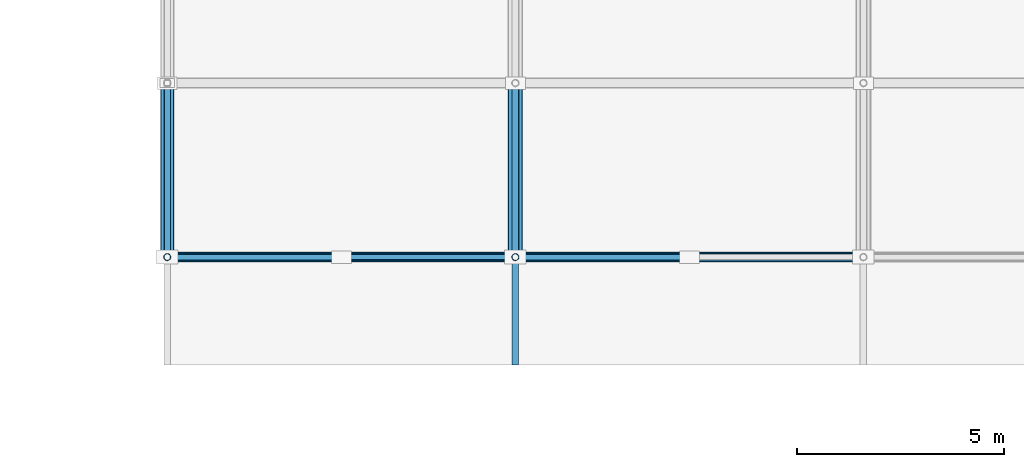
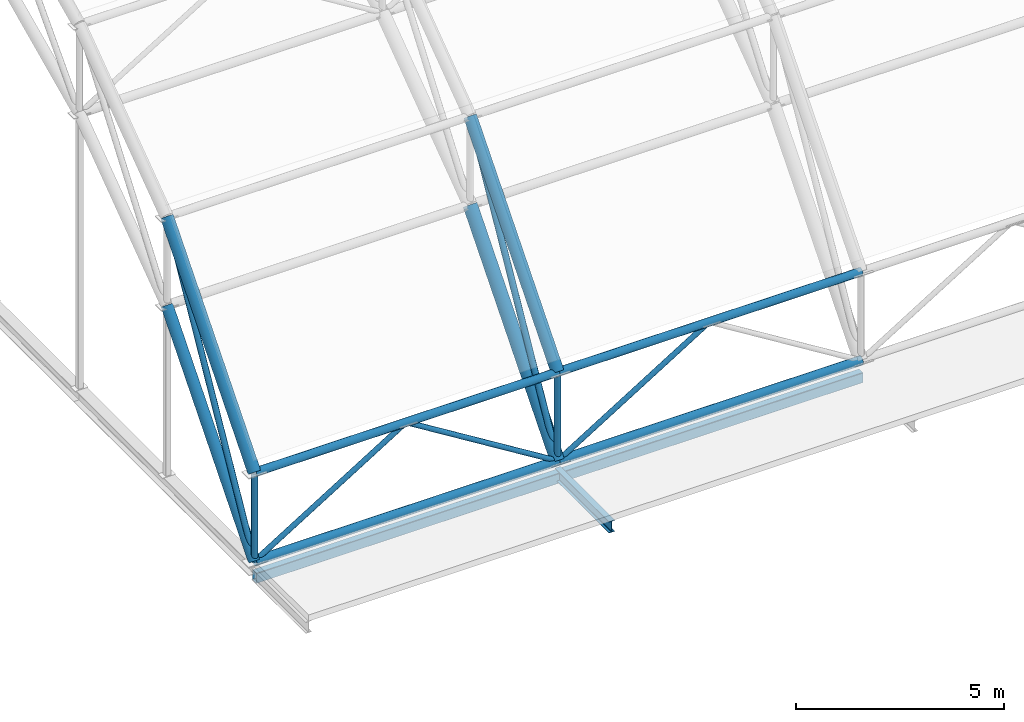
# One storey, part 6 of 103: 11 members, 7 beams.
"""IFC4 building model written with IfcOpenShell, lengths in metres."""

from ifc_helpers import new_model, si_unit, direction, frame, origin, origin_2d, place, context, subcontext, project, spatial, hollow_rectangle, hollow_circle, i_section, extrude, material, material_profile, profile_set, type_object, element, save


model = new_model("IFC4")

# Units and contexts
model_context = context("Model", 3, precision=1e-05, world=origin(), true_north=direction((0.0, 1.0)))
body_context = subcontext(model_context, "Body", "Model", "MODEL_VIEW")
ifc_project = project(units=[si_unit("LENGTHUNIT", "METRE"), si_unit("AREAUNIT", "SQUARE_METRE"), si_unit("VOLUMEUNIT", "CUBIC_METRE"), si_unit("PLANEANGLEUNIT", "RADIAN"), si_unit("MASSUNIT", "GRAM", prefix="KILO")], contexts=[model_context])

# Site, building, storey
site_placement = place(None, origin())
site = spatial("IfcSite", under=ifc_project, at=site_placement, CompositionType="ELEMENT")
building_placement = place(site_placement, origin())
building = spatial("IfcBuilding", under=site, at=building_placement, Name="Varnapada Polytechnic", CompositionType="ELEMENT")
storey_placement = place(building_placement, frame((0.0, 0.0, 18.0)))
storey = spatial("IfcBuildingStorey", under=building, at=storey_placement, Name="L04", CompositionType="ELEMENT", Elevation=18.0)

# Beams
ifc_material = material(Name="Steel S355", Category="steel")
ifc_material_profile_1 = material_profile(ifc_material, i_section(OverallWidth=0.159912109375, OverallDepth=0.330078125, WebThickness=0.007568359375, FlangeThickness=0.011474609375, FilletRadius=0.01806640625, at=origin_2d()), Name="IPE 330")
ifc_profile_set_1 = profile_set([ifc_material_profile_1], Name="Steel S355")
beam_type_1 = type_object("IfcBeamType", Name="Clerestory monitor steel rafter SB-07 (IPE 330)", PredefinedType="BEAM", material=ifc_profile_set_1)
beam_1_placement = place(storey_placement, frame((58.800048828125, 84.0, -0.35009765625), z_axis=(0.0, -1.0, 0.0), x_axis=(1.0, 0.0, 0.0)))
element("IfcBeam", 1, at=beam_1_placement, inside=storey, type_object=beam_type_1, Name="Workshop eave shade outlooker S.2", PredefinedType="BEAM", context=body_context, shape_type="SweptSolid", body=[
    extrude(i_section(OverallWidth=0.159912109375, OverallDepth=0.330078125, WebThickness=0.007568359375, FlangeThickness=0.011474609375, FilletRadius=0.01806640625, at=origin_2d()), origin(), (0.0, 0.0, 1.0), 2.60009765625),
])
ifc_material_profile_2 = material_profile(ifc_material, hollow_circle(Radius=0.149169921875, WallThickness=0.010009765625, at=origin_2d()), Name="CHS 298.5x10.0")
ifc_profile_set_2 = profile_set([ifc_material_profile_2], Name="Steel S355")
beam_type_2 = type_object("IfcBeamType", Name="Space frame end-bay arch rib VA-04 (CHS 298.5x10.0)", PredefinedType="BEAM", material=ifc_profile_set_2)
beam_2_placement = place(storey_placement, frame((50.39990234375, 84.0, 0.0), z_axis=(0.0, 0.647032448214, 0.762462465279), x_axis=(-1.0, 0.0, 0.0)))
element("IfcBeam", 2, at=beam_2_placement, inside=storey, type_object=beam_type_2, Name="Vaulted space frame bottom arch chord 1.1", PredefinedType="BEAM", context=body_context, shape_type="SweptSolid", body=[
    extrude(hollow_circle(Radius=0.149169921875, WallThickness=0.010009765625, at=origin_2d()), origin(), (0.0, 0.0, 1.0), 6.4912109375),
])

# Members
ifc_material_profile_3 = material_profile(ifc_material, hollow_circle(Radius=0.07958984375, WallThickness=0.00634765625, at=origin_2d()), Name="CHS 159.0x6.3")
ifc_profile_set_3 = profile_set([ifc_material_profile_3], Name="Steel S355")
member_type_1 = type_object("IfcMemberType", Name="Space frame perimeter web diagonal SFB-03 (CHS 159.0x6.3)", PredefinedType="BRACE", material=ifc_profile_set_3)
member_1_placement = place(storey_placement, frame((50.39990234375, 84.0, 0.0), z_axis=(0.0, 0.486175535898, 0.873861172209), x_axis=(-1.0, 0.0, 0.0)))
element("IfcMember", 3, at=member_1_placement, inside=storey, type_object=member_type_1, Name="Vaulted space frame web diagonal 1.1", PredefinedType="BRACE", context=body_context, shape_type="SweptSolid", body=[
    extrude(hollow_circle(Radius=0.07958984375, WallThickness=0.00634765625, at=origin_2d()), origin(), (0.0, 0.0, 1.0), 8.638671875),
])
ifc_material_profile_4 = material_profile(ifc_material, hollow_circle(Radius=0.122314453125, WallThickness=0.008056640625, at=origin_2d()), Name="CHS 244.5x8.0")
ifc_profile_set_4 = profile_set([ifc_material_profile_4], Name="Steel S355")
member_type_2 = type_object("IfcMemberType", Name="Vaulted space frame longitudinal bottom chord SFC-01 (CHS 244.5x8.0)", PredefinedType="CHORD", material=ifc_profile_set_4)
member_2_placement = place(storey_placement, frame((50.39990234375, 84.0, 0.0), z_axis=(1.0, 0.0, 0.0), x_axis=(0.0, 1.0, 0.0)))
element("IfcMember", 4, at=member_2_placement, inside=storey, type_object=member_type_2, Name="Vaulted space frame longitudinal bottom chord 1.1", PredefinedType="CHORD", context=body_context, shape_type="SweptSolid", body=[
    extrude(hollow_circle(Radius=0.122314453125, WallThickness=0.008056640625, at=origin_2d()), origin(), (0.0, 0.0, 1.0), 8.400146484375),
])
member_3_placement = place(storey_placement, frame((58.800048828125, 84.0, 0.0), z_axis=(1.0, 0.0, 0.0), x_axis=(0.0, 1.0, 0.0)))
element("IfcMember", 5, at=member_3_placement, inside=storey, type_object=member_type_2, Name="Vaulted space frame longitudinal bottom chord 2.1", PredefinedType="CHORD", context=body_context, shape_type="SweptSolid", body=[
    extrude(hollow_circle(Radius=0.122314453125, WallThickness=0.008056640625, at=origin_2d()), origin(), (0.0, 0.0, 1.0), 8.39990234375),
])
ifc_material_profile_5 = material_profile(ifc_material, hollow_circle(Radius=0.109619140625, WallThickness=0.008056640625, at=origin_2d()), Name="CHS 219.1x8.0")
ifc_profile_set_5 = profile_set([ifc_material_profile_5], Name="Steel S355")
member_type_3 = type_object("IfcMemberType", Name="Vaulted space frame longitudinal top chord SFC-02 (CHS 219.1x8.0)", PredefinedType="CHORD", material=ifc_profile_set_5)
member_4_placement = place(storey_placement, frame((50.39990234375, 84.0, 2.60009765625), z_axis=(1.0, 0.0, 0.0), x_axis=(0.0, 1.0, 0.0)))
element("IfcMember", 6, at=member_4_placement, inside=storey, type_object=member_type_3, Name="Vaulted space frame longitudinal top chord 1.1", PredefinedType="CHORD", context=body_context, shape_type="SweptSolid", body=[
    extrude(hollow_circle(Radius=0.109619140625, WallThickness=0.008056640625, at=origin_2d()), origin(), (0.0, 0.0, 1.0), 8.400146484375),
])
member_5_placement = place(storey_placement, frame((58.800048828125, 84.0, 2.60009765625), z_axis=(1.0, 0.0, 0.0), x_axis=(0.0, 1.0, 0.0)))
element("IfcMember", 7, at=member_5_placement, inside=storey, type_object=member_type_3, Name="Vaulted space frame longitudinal top chord 2.1", PredefinedType="CHORD", context=body_context, shape_type="SweptSolid", body=[
    extrude(hollow_circle(Radius=0.109619140625, WallThickness=0.008056640625, at=origin_2d()), origin(), (0.0, 0.0, 1.0), 8.39990234375),
])

# Beam
ifc_material_profile_6 = material_profile(ifc_material, hollow_circle(Radius=0.177734375, WallThickness=0.012451171875, at=origin_2d()), Name="CHS 355.6x12.5")
ifc_profile_set_6 = profile_set([ifc_material_profile_6], Name="Steel S355")
beam_type_3 = type_object("IfcBeamType", Name="Vaulted space frame primary arch rib VA-01 (CHS 355.6x12.5)", PredefinedType="BEAM", material=ifc_profile_set_6)
beam_3_placement = place(storey_placement, frame((58.800048828125, 84.0, 0.0), z_axis=(0.0, 0.647032448214, 0.762462465279), x_axis=(-1.0, 0.0, 0.0)))
element("IfcBeam", 8, at=beam_3_placement, inside=storey, type_object=beam_type_3, Name="Vaulted space frame bottom arch chord 2.1", PredefinedType="BEAM", context=body_context, shape_type="SweptSolid", body=[
    extrude(hollow_circle(Radius=0.177734375, WallThickness=0.012451171875, at=origin_2d()), origin(), (0.0, 0.0, 1.0), 6.4912109375),
])

# Members
ifc_material_profile_7 = material_profile(ifc_material, hollow_circle(Radius=0.084228515625, WallThickness=0.00634765625, at=origin_2d()), Name="CHS 168.3x6.3")
ifc_profile_set_7 = profile_set([ifc_material_profile_7], Name="Steel S355")
member_type_4 = type_object("IfcMemberType", Name="Vaulted space frame primary web diagonal SFB-01 (CHS 168.3x6.3)", PredefinedType="BRACE", material=ifc_profile_set_7)
member_6_placement = place(storey_placement, frame((58.800048828125, 84.0, 0.0), z_axis=(0.0, 0.486175535898, 0.873861172209), x_axis=(-1.0, 0.0, 0.0)))
element("IfcMember", 9, at=member_6_placement, inside=storey, type_object=member_type_4, Name="Vaulted space frame web diagonal 2.1", PredefinedType="BRACE", context=body_context, shape_type="SweptSolid", body=[
    extrude(hollow_circle(Radius=0.084228515625, WallThickness=0.00634765625, at=origin_2d()), origin(), (0.0, 0.0, 1.0), 8.638671875),
])
ifc_material_profile_8 = material_profile(ifc_material, hollow_circle(Radius=0.084228515625, WallThickness=0.00634765625, at=origin_2d()), Name="CHS 168.3x6.3")
ifc_profile_set_8 = profile_set([ifc_material_profile_8], Name="Steel S355")
member_type_5 = type_object("IfcMemberType", Name="Vaulted space frame radial web strut SFS-01 (CHS 168.3x6.3)", PredefinedType="STRUT", material=ifc_profile_set_8)
for number, where, z_axis, x_axis, name in (
    (10, (50.39990234375, 84.0, 0.0), (0.0, 0.0, 1.0), (1.0, 0.0, 0.0), "Vaulted space frame strut 1.1"),
    (11, (58.800048828125, 84.0, 0.0), (0.0, 0.0, 1.0), (1.0, 0.0, 0.0), "Vaulted space frame strut 2.1"),
):
    element("IfcMember", number, at=place(storey_placement, frame(where, z_axis=z_axis, x_axis=x_axis)), inside=storey, type_object=member_type_5, Name=name, PredefinedType="STRUT", context=body_context, shape_type="SweptSolid", body=[
        extrude(hollow_circle(Radius=0.084228515625, WallThickness=0.00634765625, at=origin_2d()), origin(), (0.0, 0.0, 1.0), 2.60009765625),
    ])
ifc_material_profile_9 = material_profile(ifc_material, hollow_circle(Radius=0.06982421875, WallThickness=0.0048828125, at=origin_2d()), Name="CHS 139.7x5.0")
ifc_profile_set_9 = profile_set([ifc_material_profile_9], Name="Steel S355")
member_type_6 = type_object("IfcMemberType", Name="Vaulted space frame secondary web diagonal SFB-02 (CHS 139.7x5.0)", PredefinedType="BRACE", material=ifc_profile_set_9)
member_7_placement = place(storey_placement, frame((50.39990234375, 84.0, 0.0), z_axis=(0.85026725322, 0.0, 0.526351211741), x_axis=(0.0, 1.0, 0.0)))
element("IfcMember", 12, at=member_7_placement, inside=storey, type_object=member_type_6, Name="Vaulted space frame longitudinal brace 1.1A", PredefinedType="BRACE", context=body_context, shape_type="SweptSolid", body=[
    extrude(hollow_circle(Radius=0.06982421875, WallThickness=0.0048828125, at=origin_2d()), origin(), (0.0, 0.0, 1.0), 4.93994140625),
])
for number, where, z_axis, x_axis, name in (
    (13, (58.800048828125, 84.0, 0.0), (-0.85025356003, 0.0, 0.526373331065), (0.0, -1.0, 0.0), "Vaulted space frame longitudinal brace 1.1B"),
    (14, (58.800048828125, 84.0, 0.0), (0.85025356003, 0.0, 0.526373331065), (0.0, 1.0, 0.0), "Vaulted space frame longitudinal brace 2.1A"),
):
    element("IfcMember", number, at=place(storey_placement, frame(where, z_axis=z_axis, x_axis=x_axis)), inside=storey, type_object=member_type_6, Name=name, PredefinedType="BRACE", context=body_context, shape_type="SweptSolid", body=[
        extrude(hollow_circle(Radius=0.06982421875, WallThickness=0.0048828125, at=origin_2d()), origin(), (0.0, 0.0, 1.0), 4.939697265625),
    ])

# Beams
ifc_material_profile_10 = material_profile(ifc_material, hollow_circle(Radius=0.161865234375, WallThickness=0.010009765625, at=origin_2d()), Name="CHS 323.9x10.0")
ifc_profile_set_10 = profile_set([ifc_material_profile_10], Name="Steel S355")
beam_type_4 = type_object("IfcBeamType", Name="Vaulted space frame upper arch rib VA-02 (CHS 323.9x10.0)", PredefinedType="BEAM", material=ifc_profile_set_10)
for number, where, z_axis, x_axis, name in (
    (15, (50.39990234375, 84.0, 2.60009765625), (0.0, 0.647051003787, 0.762446718465), (-1.0, 0.0, 0.0), "Vaulted space frame top arch chord 1.1"),
    (16, (58.800048828125, 84.0, 2.60009765625), (0.0, 0.647051003787, 0.762446718465), (-1.0, 0.0, 0.0), "Vaulted space frame top arch chord 2.1"),
):
    element("IfcBeam", number, at=place(storey_placement, frame(where, z_axis=z_axis, x_axis=x_axis)), inside=storey, type_object=beam_type_4, Name=name, PredefinedType="BEAM", context=body_context, shape_type="SweptSolid", body=[
        extrude(hollow_circle(Radius=0.161865234375, WallThickness=0.010009765625, at=origin_2d()), origin(), (0.0, 0.0, 1.0), 6.490966796875),
    ])
ifc_material_profile_11 = material_profile(ifc_material, hollow_rectangle(XDim=0.199951171875, YDim=0.300048828125, WallThickness=0.010009765625, InnerFilletRadius=0.010009765625, OuterFilletRadius=0.02001953125, at=origin_2d()), Name="RHS 300x200x10")
ifc_profile_set_11 = profile_set([ifc_material_profile_11], Name="Steel S355")
beam_type_5 = type_object("IfcBeamType", Name="Workshop steel spandrel tie SP-03 (RHS 300x200x10)", PredefinedType="SPANDREL", material=ifc_profile_set_11)
beam_4_placement = place(storey_placement, frame((50.39990234375, 84.0, -0.449951171875), z_axis=(1.0, 0.0, 0.0), x_axis=(0.0, 1.0, 0.0)))
element("IfcBeam", 17, at=beam_4_placement, inside=storey, type_object=beam_type_5, Name="L04 workshop clerestory tie X7-8 Y11", PredefinedType="SPANDREL", context=body_context, shape_type="SweptSolid", body=[
    extrude(hollow_rectangle(XDim=0.199951171875, YDim=0.300048828125, WallThickness=0.010009765625, InnerFilletRadius=0.010009765625, OuterFilletRadius=0.02001953125, at=origin_2d()), origin(), (0.0, 0.0, 1.0), 8.400146484375),
])
beam_5_placement = place(storey_placement, frame((58.800048828125, 84.0, -0.449951171875), z_axis=(1.0, 0.0, 0.0), x_axis=(0.0, 1.0, 0.0)))
element("IfcBeam", 18, at=beam_5_placement, inside=storey, type_object=beam_type_5, Name="L04 workshop clerestory tie X8-9 Y11", PredefinedType="SPANDREL", context=body_context, shape_type="SweptSolid", body=[
    extrude(hollow_rectangle(XDim=0.199951171875, YDim=0.300048828125, WallThickness=0.010009765625, InnerFilletRadius=0.010009765625, OuterFilletRadius=0.02001953125, at=origin_2d()), origin(), (0.0, 0.0, 1.0), 8.39990234375),
])

save(model, "model.ifc")
